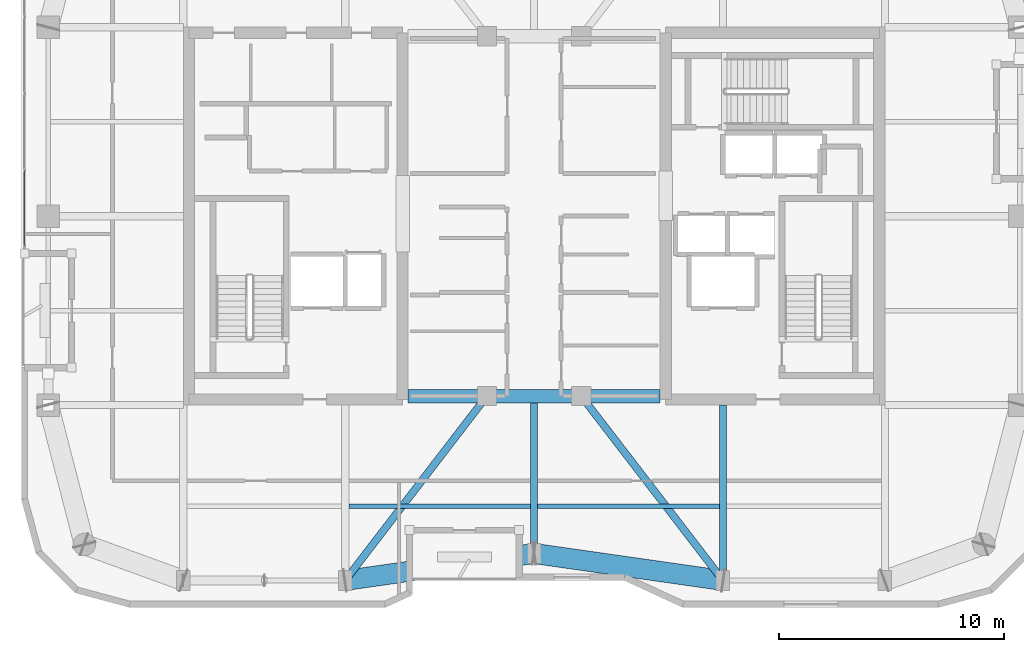
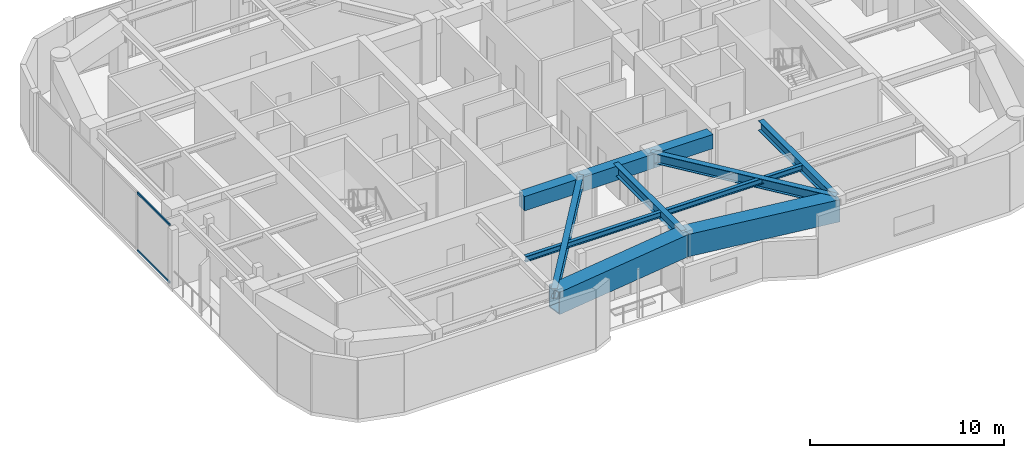
# One storey, part 3 of 15: 11 beams, 2 members, 1 element without a shape of its own.
"""IFC4 building model written with IfcOpenShell, lengths in metres."""

from ifc_helpers import new_model, si_unit, direction, frame, origin, origin_2d, place, context, subcontext, project, spatial, rectangle, hollow_rectangle, i_section, extrude, material, layer, layer_set, material_profile, profile_set, type_object, element, aggregate, save


model = new_model("IFC4")

# Units and contexts
model_context = context("Model", 3, precision=1e-05, world=origin(), true_north=direction((0.0, 1.0)))
body_context = subcontext(model_context, "Body", "Model", "MODEL_VIEW")
ifc_project = project(units=[si_unit("LENGTHUNIT", "METRE"), si_unit("AREAUNIT", "SQUARE_METRE"), si_unit("VOLUMEUNIT", "CUBIC_METRE"), si_unit("PLANEANGLEUNIT", "RADIAN"), si_unit("MASSUNIT", "GRAM", prefix="KILO")], contexts=[model_context])

# Site, building, storey
site_placement = place(None, origin())
site = spatial("IfcSite", under=ifc_project, at=site_placement, CompositionType="ELEMENT")
building_placement = place(site_placement, origin())
building = spatial("IfcBuilding", under=site, at=building_placement, Name="Kiyonajd Concourse Tower", CompositionType="ELEMENT")
storey_placement = place(building_placement, frame((0.0, 0.0, 286.199951171875)))
storey = spatial("IfcBuildingStorey", under=building, at=storey_placement, Name="L72", CompositionType="ELEMENT", Elevation=286.199951171875)

# Beams
ifc_material_1 = material(Name="Concrete C60/75", Category="concrete")
ifc_material_profile_1 = material_profile(ifc_material_1, rectangle(XDim=0.60009765625, YDim=0.89990234375, at=origin_2d()), Name="RCBM-600x900")
ifc_profile_set_1 = profile_set([ifc_material_profile_1], Name="Concrete C60/75")
beam_type_1 = type_object("IfcBeamType", Name="BM-COUP-900", PredefinedType="LINTEL", material=ifc_profile_set_1)
beam_1_placement = place(storey_placement, frame((42.39990234375, 28.0, 3.22998046875), z_axis=(1.0, 0.0, 0.0), x_axis=(0.0, 1.0, 0.0)))
element("IfcBeam", 1, at=beam_1_placement, inside=storey, type_object=beam_type_1, Name="L72 Core Coupling Beam S1", PredefinedType="LINTEL", context=body_context, shape_type="SweptSolid", body=[
    extrude(rectangle(XDim=0.60009765625, YDim=0.89990234375, at=origin_2d()), origin(), (0.0, 0.0, 1.0), 3.5),
])
beam_2_placement = place(storey_placement, frame((45.89990234375, 28.0, 3.22998046875), z_axis=(1.0, 0.0, 0.0), x_axis=(0.0, 1.0, 0.0)))
element("IfcBeam", 2, at=beam_2_placement, inside=storey, type_object=beam_type_1, Name="L72 Core Coupling Beam S2", PredefinedType="LINTEL", context=body_context, shape_type="SweptSolid", body=[
    extrude(rectangle(XDim=0.60009765625, YDim=0.89990234375, at=origin_2d()), origin(), (0.0, 0.0, 1.0), 4.2001953125),
])
beam_3_placement = place(storey_placement, frame((50.10009765625, 28.0, 3.22998046875), z_axis=(1.0, 0.0, 0.0), x_axis=(0.0, 1.0, 0.0)))
element("IfcBeam", 3, at=beam_3_placement, inside=storey, type_object=beam_type_1, Name="L72 Core Coupling Beam S3", PredefinedType="LINTEL", context=body_context, shape_type="SweptSolid", body=[
    extrude(rectangle(XDim=0.60009765625, YDim=0.89990234375, at=origin_2d()), origin(), (0.0, 0.0, 1.0), 3.5),
])
ifc_material_2 = material(Name="Steel ASTM A992 Grade 50", Category="steel")
ifc_material_profile_2 = material_profile(ifc_material_2, i_section(OverallWidth=0.205078125, OverallDepth=0.35400390625, WebThickness=0.009521484375, FlangeThickness=0.016845703125, at=origin_2d()), Name="W360X79")
ifc_profile_set_2 = profile_set([ifc_material_profile_2], Name="Steel ASTM A992 Grade 50")
beam_type_2 = type_object("IfcBeamType", Name="BM-JST-360", PredefinedType="JOIST", material=ifc_profile_set_2)
for number, where, z_axis, x_axis, name in (
    (4, (39.761962890625, 23.10009765625, 3.5029296875), (1.0, 0.0, 0.0), (0.0, 1.0, 0.0), "L72 Secondary Floor Joist"),
    (5, (48.162109375, 23.10009765625, 3.5029296875), (1.0, 0.0, 0.0), (0.0, 1.0, 0.0), "L72 Secondary Floor Joist"),
):
    element("IfcBeam", number, at=place(storey_placement, frame(where, z_axis=z_axis, x_axis=x_axis)), inside=storey, type_object=beam_type_2, Name=name, PredefinedType="JOIST", context=body_context, shape_type="SweptSolid", body=[
        extrude(i_section(OverallWidth=0.205078125, OverallDepth=0.35400390625, WebThickness=0.009521484375, FlangeThickness=0.016845703125, at=origin_2d()), origin(), (0.0, 0.0, 1.0), 8.075927734375),
    ])
ifc_material_profile_3 = material_profile(ifc_material_2, i_section(OverallWidth=0.326904296875, OverallDepth=0.6220703125, WebThickness=0.015380859375, FlangeThickness=0.0244140625, at=origin_2d()), Name="W610X195")
ifc_profile_set_3 = profile_set([ifc_material_profile_3], Name="Steel ASTM A992 Grade 50")
beam_type_3 = type_object("IfcBeamType", Name="BM-TWR-610A", PredefinedType="BEAM", material=ifc_profile_set_3)
for number, where, z_axis, x_axis, name in (
    (6, (39.60009765625, 19.800048828125, 3.369140625), (0.609233709922, 0.792990722956, 0.0), (-0.792990722956, 0.609233709922, 0.0), "L72 Core Tie Girder"),
    (7, (50.10009765625, 28.0, 3.369140625), (0.609233709922, -0.792990722956, 0.0), (0.792990722956, 0.609233709922, 0.0), "L72 Core Tie Girder"),
):
    element("IfcBeam", number, at=place(storey_placement, frame(where, z_axis=z_axis, x_axis=x_axis)), inside=storey, type_object=beam_type_3, Name=name, PredefinedType="BEAM", context=body_context, shape_type="SweptSolid", body=[
        extrude(i_section(OverallWidth=0.326904296875, OverallDepth=0.6220703125, WebThickness=0.015380859375, FlangeThickness=0.0244140625, at=origin_2d()), origin(), (0.0, 0.0, 1.0), 10.340576171875),
    ])
ifc_material_profile_4 = material_profile(ifc_material_2, i_section(OverallWidth=0.323974609375, OverallDepth=0.611083984375, WebThickness=0.0126953125, FlangeThickness=0.01904296875, at=origin_2d()), Name="W610X155")
ifc_profile_set_4 = profile_set([ifc_material_profile_4], Name="Steel ASTM A992 Grade 50")
beam_type_4 = type_object("IfcBeamType", Name="BM-TWR-610B", PredefinedType="BEAM", material=ifc_profile_set_4)
beam_4_placement = place(storey_placement, frame((56.39990234375, 19.800048828125, 3.37451171875), z_axis=(0.0, 1.0, 0.0), x_axis=(-1.0, 0.0, 0.0)))
element("IfcBeam", 8, at=beam_4_placement, inside=storey, type_object=beam_type_4, Name="L72 South Lease Girder", PredefinedType="BEAM", context=body_context, shape_type="SweptSolid", body=[
    extrude(i_section(OverallWidth=0.323974609375, OverallDepth=0.611083984375, WebThickness=0.0126953125, FlangeThickness=0.01904296875, at=origin_2d()), origin(), (0.0, 0.0, 1.0), 7.800048828125),
])
beam_5_placement = place(storey_placement, frame((48.0, 21.0, 3.37451171875), z_axis=(0.0, 1.0, 0.0), x_axis=(-1.0, 0.0, 0.0)))
element("IfcBeam", 9, at=beam_5_placement, inside=storey, type_object=beam_type_4, Name="L72 South Ribbon Girder", PredefinedType="BEAM", context=body_context, shape_type="SweptSolid", body=[
    extrude(i_section(OverallWidth=0.323974609375, OverallDepth=0.611083984375, WebThickness=0.0126953125, FlangeThickness=0.01904296875, at=origin_2d()), origin(), (0.0, 0.0, 1.0), 7.0),
])
ifc_material_3 = material(Name="Steel ASTM A572 Grade 50", Category="steel")
ifc_material_profile_5 = material_profile(ifc_material_3, hollow_rectangle(XDim=0.89990234375, YDim=1.39990234375, WallThickness=0.070068359375, at=origin_2d()), Name="BOX-1400x900x70")
ifc_profile_set_5 = profile_set([ifc_material_profile_5], Name="Steel ASTM A572 Grade 50")
beam_type_5 = type_object("IfcBeamType", Name="BM-XFER-1400", PredefinedType="BEAM", material=ifc_profile_set_5)
for number, where, z_axis, x_axis, name in (
    (10, (39.60009765625, 19.800048828125, 2.97998046875), (0.989950069105, 0.141417328072, 0.0), (-0.141417328072, 0.989950069105, 0.0), "L72 Perimeter Bundled Tube Spandrel"),
    (11, (48.0, 21.0, 2.97998046875), (0.989950069105, -0.141417328072, 0.0), (0.141417328072, 0.989950069105, 0.0), "L72 Perimeter Bundled Tube Spandrel"),
):
    element("IfcBeam", number, at=place(storey_placement, frame(where, z_axis=z_axis, x_axis=x_axis)), inside=storey, type_object=beam_type_5, Name=name, PredefinedType="BEAM", context=body_context, shape_type="SweptSolid", body=[
        extrude(hollow_rectangle(XDim=0.89990234375, YDim=1.39990234375, WallThickness=0.070068359375, at=origin_2d()), origin(), (0.0, 0.0, 1.0), 8.485107421875),
    ])

# Curtain wall, members
ifc_material_4 = material(Name="Thermally Broken Anodised Aluminium", Category="aluminium")
ifc_layer = layer(ifc_material_4, 0.179931640625)
ifc_layer_set = layer_set([ifc_layer], Name="Thermally Broken Anodised Aluminium")
curtain_wall_type = type_object("IfcCurtainWallType", Name="CW-SYS-04", PredefinedType="NOTDEFINED", material=ifc_layer_set)
curtain_wall_placement = place(storey_placement, origin())
curtain_wall = element("IfcCurtainWall", 12, at=curtain_wall_placement, inside=storey, type_object=curtain_wall_type, Name="L72 Unitised Curtain Wall CW4", PredefinedType="NOTDEFINED")
ifc_material_profile_6 = material_profile(ifc_material_4, hollow_rectangle(XDim=0.06494140625, YDim=0.139892578125, WallThickness=0.00390625, at=origin_2d()), Name="TRAN-65x140")
ifc_profile_set_6 = profile_set([ifc_material_profile_6], Name="Thermally Broken Anodised Aluminium")
member_type = type_object("IfcMemberType", Name="MB-CW-TRAN1", PredefinedType="USERDEFINED", material=ifc_profile_set_6)
member_1_placement = place(storey_placement, frame((25.340087890625, 34.695068359375, 0.032470703125), z_axis=(0.0, 1.0, 0.0), x_axis=(-1.0, 0.0, 0.0)))
member_1 = element("IfcMember", 13, at=member_1_placement, type_object=member_type, Name="CW4 transom 1.1", ObjectType="TRANSOM", PredefinedType="USERDEFINED", context=body_context, shape_type="SweptSolid", body=[
    extrude(hollow_rectangle(XDim=0.06494140625, YDim=0.139892578125, WallThickness=0.00390625, at=origin_2d()), origin(), (0.0, 0.0, 1.0), 3.31787109375),
])
member_2_placement = place(storey_placement, frame((25.340087890625, 34.695068359375, 3.6474609375), z_axis=(0.0, 1.0, 0.0), x_axis=(-1.0, 0.0, 0.0)))
member_2 = element("IfcMember", 14, at=member_2_placement, type_object=member_type, Name="CW4 transom 1.2", ObjectType="TRANSOM", PredefinedType="USERDEFINED", context=body_context, shape_type="SweptSolid", body=[
    extrude(hollow_rectangle(XDim=0.06494140625, YDim=0.139892578125, WallThickness=0.00390625, at=origin_2d()), origin(), (0.0, 0.0, 1.0), 3.31787109375),
])
aggregate(curtain_wall, [member_1, member_2])

save(model, "model.ifc")
